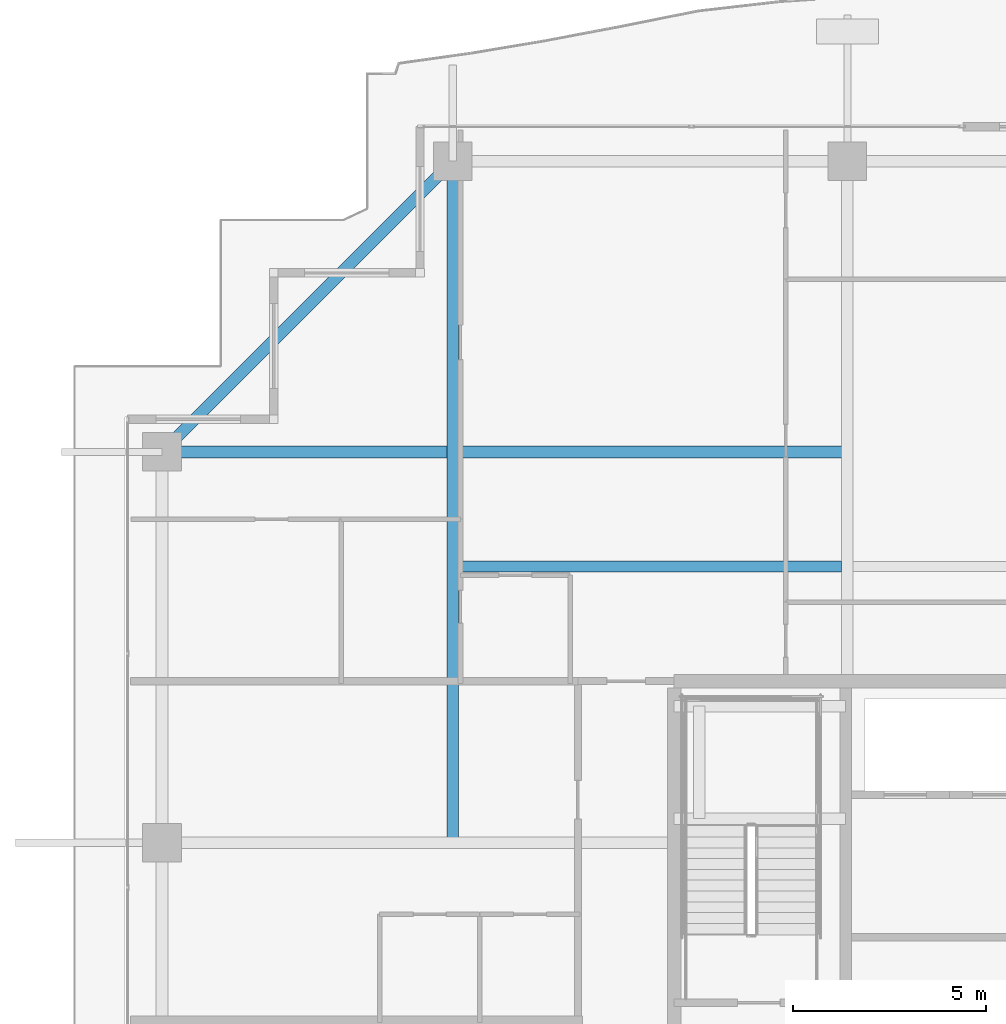
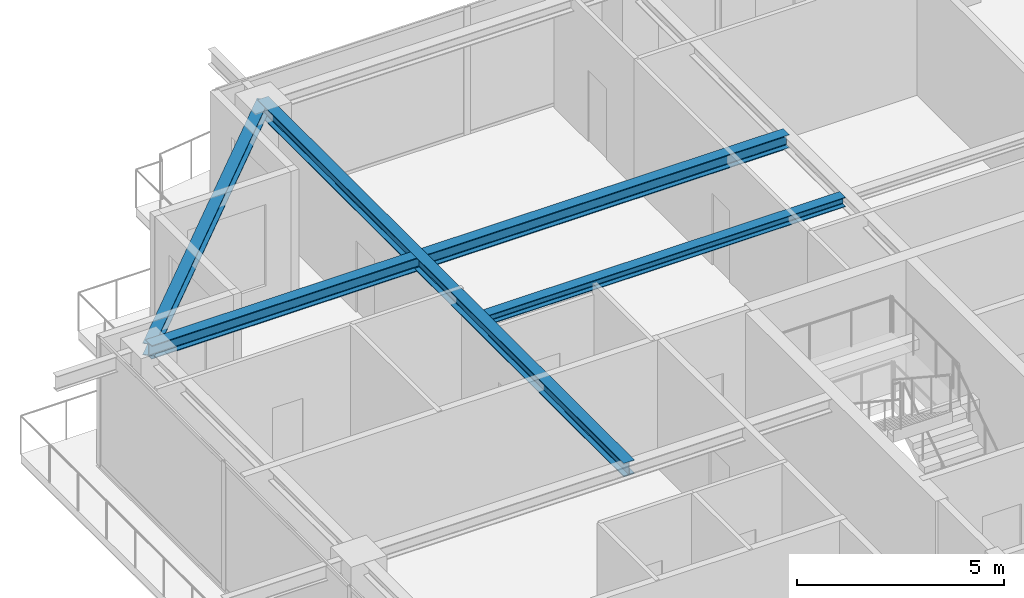
# One storey, part 20 of 39: 4 beams.
"""IFC4 building model written with IfcOpenShell, lengths in metres."""

import ifcopenshell
import ifcopenshell.guid

model = None  # the IFC model being written
_history = None  # IfcOwnerHistory: only IFC2X3 demands one
_inside = {}  # id of a spatial element -> (the spatial element, [elements in it])
_under = {}  # id of a project, library or spatial element -> (it, [spatial elements below it])
_declared = {}  # id of a project -> (the project, [libraries it declares])
_typed = {}  # id of a type object -> (the type object, [elements of that type])
_made_of = {}  # id of a material, layer set ... -> (it, [elements and type objects made of it])


def new_model(schema):
    """Start an empty IFC model of exactly this schema.

    Asked for "IFC4X3", IfcOpenShell would pick the latest addendum, in which some entities
    have other attributes; the version numbers below select the first issue.
    IFC2X3 requires an IfcOwnerHistory on every rooted entity: one is made here for all.
    """
    global model, _history
    if schema == "IFC4X3":
        model = ifcopenshell.file(schema_version=(4, 3, 0, 0))
    else:
        model = ifcopenshell.file(schema=schema)
    _inside.clear()
    _under.clear()
    _declared.clear()
    _typed.clear()
    _made_of.clear()
    _history = None
    if model.schema == "IFC2X3":
        org = make("IfcOrganization", Name="unknown")
        user = make(
            "IfcPersonAndOrganization",
            ThePerson=make("IfcPerson", FamilyName="unknown"),
            TheOrganization=org,
        )
        app = make(
            "IfcApplication",
            ApplicationDeveloper=org,
            Version="unknown",
            ApplicationFullName="unknown",
            ApplicationIdentifier="unknown",
        )
        _history = make(
            "IfcOwnerHistory",
            OwningUser=user,
            OwningApplication=app,
            ChangeAction="ADDED",
            CreationDate=0,
        )
    return model


def make(cls, **values):
    """One entity of the class cls with the attributes given. An attribute that is None is left unset."""
    return model.create_entity(
        cls, **{name: value for name, value in values.items() if value is not None}
    )


def rooted(cls, **values):
    """An entity with a GlobalId (a new one), such as an element, a storey or a relation."""
    return make(cls, GlobalId=ifcopenshell.guid.new(), OwnerHistory=_history, **values)


def si_unit(unit_type, name, prefix=None):
    """IfcSIUnit, for example si_unit("LENGTHUNIT", "METRE", prefix="MILLI")."""
    return make("IfcSIUnit", UnitType=unit_type, Prefix=prefix, Name=name)


def assignment(units):
    """IfcUnitAssignment: the units of a project."""
    return None if units is None else make("IfcUnitAssignment", Units=units)


def point(xyz):
    """IfcCartesianPoint."""
    return None if xyz is None else make("IfcCartesianPoint", Coordinates=xyz)


def direction(xyz):
    """IfcDirection."""
    return None if xyz is None else make("IfcDirection", DirectionRatios=xyz)


def frame(location, z_axis=None, x_axis=None):
    """IfcAxis2Placement3D, a coordinate frame: its origin and axes. An axis left out is left unset."""
    return make(
        "IfcAxis2Placement3D",
        Location=point(location),
        Axis=direction(z_axis),
        RefDirection=direction(x_axis),
    )


def frame_2d(location, x_axis=None):
    """IfcAxis2Placement2D, a coordinate frame in the plane: its origin and x axis."""
    return make(
        "IfcAxis2Placement2D", Location=point(location), RefDirection=direction(x_axis)
    )


def origin():
    """The frame at (0, 0, 0) with its axes left unset."""
    return frame((0.0, 0.0, 0.0))


def origin_2d():
    """The frame at (0, 0) in the plane with its x axis left unset."""
    return frame_2d((0.0, 0.0))


def place(relative_to, where):
    """IfcLocalPlacement: puts the frame where relative to a parent placement (None: the world)."""
    return make(
        "IfcLocalPlacement", PlacementRelTo=relative_to, RelativePlacement=where
    )


def context(
    kind, dimensions, precision=None, world=None, true_north=None, identifier=None
):
    """IfcGeometricRepresentationContext, for example the 3D "Model" context."""
    return make(
        "IfcGeometricRepresentationContext",
        ContextIdentifier=identifier,
        ContextType=kind,
        CoordinateSpaceDimension=dimensions,
        Precision=precision,
        WorldCoordinateSystem=world,
        TrueNorth=true_north,
    )


def subcontext(parent, identifier, kind, view, scale=None):
    """IfcGeometricRepresentationSubContext, for example "Body" below "Model"."""
    return make(
        "IfcGeometricRepresentationSubContext",
        ContextIdentifier=identifier,
        ContextType=kind,
        ParentContext=parent,
        TargetScale=scale,
        TargetView=view,
    )


def project(units=None, contexts=None):
    """IfcProject with its units and contexts."""
    return rooted(
        "IfcProject",
        Name="project",
        RepresentationContexts=contexts,
        UnitsInContext=assignment(units),
    )


def spatial(cls, under=None, at=None, **own):
    """A site, building, storey or space (cls), placed at a placement, below another one or the project."""
    s = rooted(cls, ObjectPlacement=at, **own)
    if under is not None:
        _under.setdefault(under.id(), (under, []))[1].append(s)
    return s


def profile(cls, at=None, kind="AREA", **sizes):
    """A parametric profile (cls). Its sizes go by their IFC names, for example OverallWidth=200.0."""
    return make(cls, ProfileType=kind, Position=at, **sizes)


def i_section(**sizes):
    """IfcIShapeProfileDef."""
    return profile("IfcIShapeProfileDef", **sizes)


def extrude(swept, where, along, depth):
    """IfcExtrudedAreaSolid: the profile swept, set in the frame where, extruded along a direction by depth."""
    return make(
        "IfcExtrudedAreaSolid",
        SweptArea=swept,
        Position=where,
        ExtrudedDirection=direction(along),
        Depth=depth,
    )


def shape(context_of_items, identifier, shape_type, items):
    """IfcShapeRepresentation: the items that make up one representation, for example the "Body"."""
    return make(
        "IfcShapeRepresentation",
        ContextOfItems=context_of_items,
        RepresentationIdentifier=identifier,
        RepresentationType=shape_type,
        Items=items,
    )


def source(mapping_origin, context_of_items, identifier, shape_type, items):
    """IfcRepresentationMap: a shape defined once, which mapped items show again and again."""
    return make(
        "IfcRepresentationMap",
        MappingOrigin=mapping_origin,
        MappedRepresentation=shape(context_of_items, identifier, shape_type, items),
    )


def transform(
    local_origin,
    x_axis=None,
    y_axis=None,
    z_axis=None,
    scale=None,
    scale2=None,
    scale3=None,
    uniform=True,
):
    """IfcCartesianTransformationOperator3D, or its non-uniform kind. x_axis, y_axis, z_axis: its Axis1, 2, 3."""
    if uniform:
        return make(
            "IfcCartesianTransformationOperator3D",
            Axis1=direction(x_axis),
            Axis2=direction(y_axis),
            LocalOrigin=point(local_origin),
            Scale=scale,
            Axis3=direction(z_axis),
        )
    return make(
        "IfcCartesianTransformationOperator3DnonUniform",
        Axis1=direction(x_axis),
        Axis2=direction(y_axis),
        LocalOrigin=point(local_origin),
        Scale=scale,
        Axis3=direction(z_axis),
        Scale2=scale2,
        Scale3=scale3,
    )


def mapped(mapping_source, mapping_target):
    """IfcMappedItem: shows the shape of a source again, moved by a transform."""
    return make(
        "IfcMappedItem", MappingSource=mapping_source, MappingTarget=mapping_target
    )


def material(Name=None, Category=None):
    """IfcMaterial."""
    return make("IfcMaterial", Name=Name, Category=Category)


def material_profile(
    of_material, cross_section, Name=None, Category=None, Priority=None
):
    """IfcMaterialProfile: a cross section and its material."""
    return make(
        "IfcMaterialProfile",
        Name=Name,
        Material=of_material,
        Profile=cross_section,
        Priority=Priority,
        Category=Category,
    )


def profile_set(profiles, Name=None, composite=None):
    """IfcMaterialProfileSet."""
    return make(
        "IfcMaterialProfileSet",
        Name=Name,
        MaterialProfiles=profiles,
        CompositeProfile=composite,
    )


def made_of(thing, what):
    """Note that an element or type object is made of a material, layer set ...; save() writes the relation."""
    if what is not None:
        _made_of.setdefault(what.id(), (what, []))[1].append(thing)
    return thing


def type_object(cls, material=None, **own):
    """A type object (cls), such as IfcWallType, which elements share."""
    return made_of(rooted(cls, **own), material)


def element(
    cls,
    number,
    at=None,
    inside=None,
    cuts=None,
    type_object=None,
    material=None,
    context=None,
    identifier="Body",
    shape_type=None,
    held_by="IfcProductDefinitionShape",
    body=None,
    shapes=None,
    **own,
):
    """One element of the class cls, such as IfcWall. Its Tag is "e" and its number.

    at: its placement. inside: the storey or other place that contains it. cuts: it is an
    opening in that element (IfcRelVoidsElement). A single representation is given by context,
    identifier, shape_type and body (its items); several are given by shapes. held_by: the class
    of the entity that holds the representations. save() writes the other relations.
    """
    e = rooted(cls, Tag="e%d" % number, ObjectPlacement=at, **own)
    if body is not None:
        shapes = [shape(context, identifier, shape_type, body)]
    if shapes is not None:
        e.Representation = make(held_by, Representations=shapes)
    if inside is not None:
        _inside.setdefault(inside.id(), (inside, []))[1].append(e)
    if cuts is not None:
        rooted(
            "IfcRelVoidsElement", RelatingBuildingElement=cuts, RelatedOpeningElement=e
        )
    if type_object is not None:
        _typed.setdefault(type_object.id(), (type_object, []))[1].append(e)
    return made_of(e, material)


def aggregate(whole, parts):
    """IfcRelAggregates: a whole, such as a stair, and the parts it consists of."""
    return rooted("IfcRelAggregates", RelatingObject=whole, RelatedObjects=parts)


def save(model, path):
    """Write the relations noted so far, then the file.

    IfcRelAggregates (storeys below a building ...), IfcRelContainedInSpatialStructure (elements
    in a storey), IfcRelDefinesByType, IfcRelAssociatesMaterial and IfcRelDeclares: one each for
    every whole, place, type object, material and project.
    """
    for whole, parts in _under.values():
        aggregate(whole, parts)
    for where, things in _inside.values():
        rooted(
            "IfcRelContainedInSpatialStructure",
            RelatedElements=things,
            RelatingStructure=where,
        )
    for kind, things in _typed.values():
        rooted("IfcRelDefinesByType", RelatedObjects=things, RelatingType=kind)
    for what, things in _made_of.values():
        rooted("IfcRelAssociatesMaterial", RelatedObjects=things, RelatingMaterial=what)
    for by, libraries in _declared.values():
        rooted("IfcRelDeclares", RelatingContext=by, RelatedDefinitions=libraries)
    model.write(path)


model = new_model("IFC4")

# Units and contexts
model_context = context("Model", 3, precision=1e-05, world=origin(), true_north=direction((0.0, 1.0)))
body_context = subcontext(model_context, "Body", "Model", "MODEL_VIEW")
ifc_project = project(units=[si_unit("LENGTHUNIT", "METRE"), si_unit("AREAUNIT", "SQUARE_METRE"), si_unit("VOLUMEUNIT", "CUBIC_METRE"), si_unit("PLANEANGLEUNIT", "RADIAN"), si_unit("MASSUNIT", "GRAM", prefix="KILO")], contexts=[model_context])

# Site, building, storey
site_placement = place(None, origin())
site = spatial("IfcSite", under=ifc_project, at=site_placement, CompositionType="ELEMENT")
building_placement = place(site_placement, origin())
building = spatial("IfcBuilding", under=site, at=building_placement, Name="Serunith Strait Residences", CompositionType="ELEMENT")
storey_placement = place(building_placement, frame((0.0, 0.0, 329.89990234375)))
storey = spatial("IfcBuildingStorey", under=building, at=storey_placement, Name="L82", CompositionType="ELEMENT", Elevation=329.89990234375)

# Beams
ifc_material = material(Name="Steel S355J2", Category="steel")
ifc_material_profile_1 = material_profile(ifc_material, i_section(OverallWidth=0.280029296875, OverallDepth=0.280029296875, WebThickness=0.010498046875, FlangeThickness=0.01806640625, FilletRadius=0.02392578125, at=origin_2d()), Name="HEB 280")
ifc_profile_set_1 = profile_set([ifc_material_profile_1], Name="Steel S355J2")
beam_type_1 = type_object("IfcBeamType", Name="BM-HEB280", PredefinedType="JOIST", material=ifc_profile_set_1)
shared_shape_1 = source(origin(), body_context, "Body", "SweptSolid", [
    extrude(i_section(OverallWidth=0.280029296875, OverallDepth=0.280029296875, WebThickness=0.010498046875, FlangeThickness=0.01806640625, FilletRadius=0.02392578125, at=origin_2d()), origin(), (0.0, 0.0, 1.0), 9.949951171875),
])
beam_1_placement = place(storey_placement, frame((17.800048828125, 36.574951171875, 3.647216796875), z_axis=(1.0, 0.0, 0.0), x_axis=(0.0, 1.0, 0.0)))
element("IfcBeam", 1, at=beam_1_placement, inside=storey, type_object=beam_type_1, Name="L82 Composite Floor Joist 04", PredefinedType="JOIST", context=body_context, shape_type="MappedRepresentation", body=[
    mapped(shared_shape_1, transform((0.0, 0.0, 0.0), scale=1.0)),
])
ifc_material_profile_2 = material_profile(ifc_material, i_section(OverallWidth=0.300048828125, OverallDepth=0.39990234375, WebThickness=0.013427734375, FlangeThickness=0.02392578125, FilletRadius=0.027099609375, at=origin_2d()), Name="HEB 400")
ifc_profile_set_2 = profile_set([ifc_material_profile_2], Name="Steel S355J2")
beam_type_2 = type_object("IfcBeamType", Name="BM-HEB400", PredefinedType="BEAM", material=ifc_profile_set_2)
shared_shape_2 = source(origin(), body_context, "Body", "SweptSolid", [
    extrude(i_section(OverallWidth=0.300048828125, OverallDepth=0.39990234375, WebThickness=0.013427734375, FlangeThickness=0.02392578125, FilletRadius=0.027099609375, at=origin_2d()), origin(), (0.0, 0.0, 1.0), 17.7001953125),
])
beam_2_placement = place(storey_placement, frame((17.64990234375, 29.39990234375, 3.587158203125), z_axis=(0.0, 1.0, 0.0), x_axis=(-1.0, 0.0, 0.0)))
element("IfcBeam", 2, at=beam_2_placement, inside=storey, type_object=beam_type_2, Name="L82 Orthogonal Corner Girder TC-N1", PredefinedType="BEAM", context=body_context, shape_type="MappedRepresentation", body=[
    mapped(shared_shape_2, transform((0.0, 0.0, 0.0), scale=1.0)),
])
shared_shape_3 = source(origin(), body_context, "Body", "SweptSolid", [
    extrude(i_section(OverallWidth=0.300048828125, OverallDepth=0.39990234375, WebThickness=0.013427734375, FlangeThickness=0.02392578125, FilletRadius=0.027099609375, at=origin_2d()), origin(), (0.0, 0.0, 1.0), 17.7998046875),
])
beam_3_placement = place(storey_placement, frame((27.89990234375, 39.550048828125, 3.587158203125), z_axis=(-1.0, 0.0, 0.0), x_axis=(0.0, -1.0, 0.0)))
element("IfcBeam", 3, at=beam_3_placement, inside=storey, type_object=beam_type_2, Name="L82 Orthogonal Corner Girder TC-W4", PredefinedType="BEAM", context=body_context, shape_type="MappedRepresentation", body=[
    mapped(shared_shape_3, transform((0.0, 0.0, 0.0), scale=1.0)),
])
ifc_material_profile_3 = material_profile(ifc_material, i_section(OverallWidth=0.300048828125, OverallDepth=0.360107421875, WebThickness=0.012451171875, FlangeThickness=0.0224609375, FilletRadius=0.027099609375, at=origin_2d()), Name="HEB 360")
ifc_profile_set_3 = profile_set([ifc_material_profile_3], Name="Steel S355J2")
beam_type_3 = type_object("IfcBeamType", Name="BM-HEB360", PredefinedType="BEAM", material=ifc_profile_set_3)
shared_shape_4 = source(origin(), body_context, "Body", "SweptSolid", [
    extrude(i_section(OverallWidth=0.300048828125, OverallDepth=0.360107421875, WebThickness=0.012451171875, FlangeThickness=0.0224609375, FilletRadius=0.027099609375, at=origin_2d()), origin(), (0.0, 0.0, 1.0), 10.67724609375),
])
beam_4_placement = place(storey_placement, frame((17.64990234375, 47.10009765625, 3.5771484375), z_axis=(-0.707095348302, -0.707118213887, 0.0), x_axis=(0.707118213887, -0.707095348302, 0.0)))
element("IfcBeam", 4, at=beam_4_placement, inside=storey, type_object=beam_type_3, Name="L82 Perimeter Ring Beam 12", PredefinedType="BEAM", context=body_context, shape_type="MappedRepresentation", body=[
    mapped(shared_shape_4, transform((0.0, 0.0, 0.0), scale=1.0)),
])

save(model, "model.ifc")
